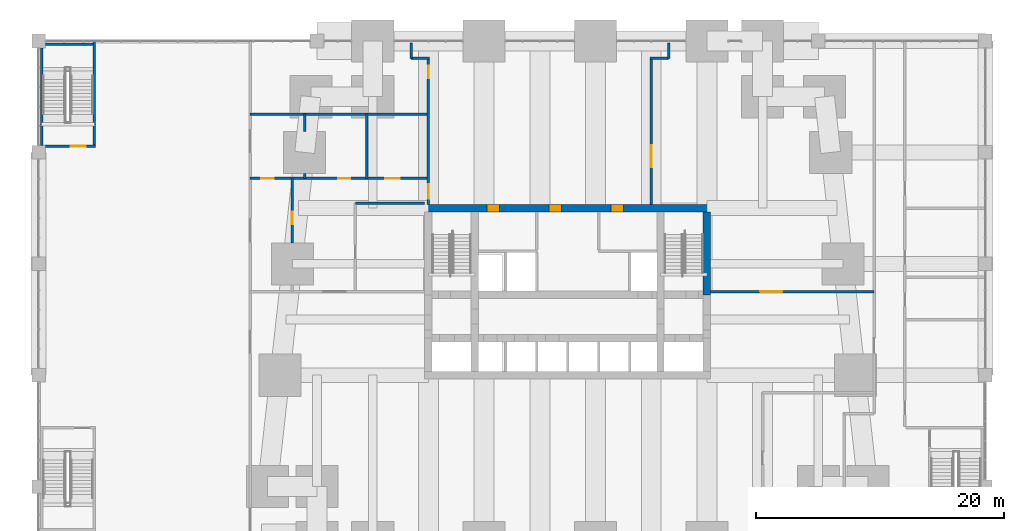
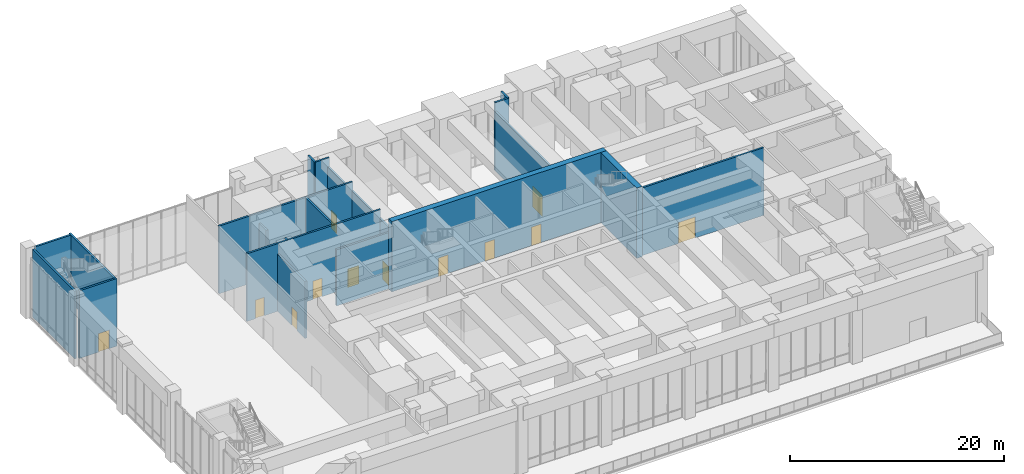
# One storey, part 19 of 26: 20 walls, 12 doors, 12 openings.
"""IFC4 building model written with IfcOpenShell, lengths in metres."""

import ifcopenshell
import ifcopenshell.guid

model = None  # the IFC model being written
_history = None  # IfcOwnerHistory: only IFC2X3 demands one
_inside = {}  # id of a spatial element -> (the spatial element, [elements in it])
_under = {}  # id of a project, library or spatial element -> (it, [spatial elements below it])
_declared = {}  # id of a project -> (the project, [libraries it declares])
_typed = {}  # id of a type object -> (the type object, [elements of that type])
_made_of = {}  # id of a material, layer set ... -> (it, [elements and type objects made of it])


def new_model(schema):
    """Start an empty IFC model of exactly this schema.

    Asked for "IFC4X3", IfcOpenShell would pick the latest addendum, in which some entities
    have other attributes; the version numbers below select the first issue.
    IFC2X3 requires an IfcOwnerHistory on every rooted entity: one is made here for all.
    """
    global model, _history
    if schema == "IFC4X3":
        model = ifcopenshell.file(schema_version=(4, 3, 0, 0))
    else:
        model = ifcopenshell.file(schema=schema)
    _inside.clear()
    _under.clear()
    _declared.clear()
    _typed.clear()
    _made_of.clear()
    _history = None
    if model.schema == "IFC2X3":
        org = make("IfcOrganization", Name="unknown")
        user = make(
            "IfcPersonAndOrganization",
            ThePerson=make("IfcPerson", FamilyName="unknown"),
            TheOrganization=org,
        )
        app = make(
            "IfcApplication",
            ApplicationDeveloper=org,
            Version="unknown",
            ApplicationFullName="unknown",
            ApplicationIdentifier="unknown",
        )
        _history = make(
            "IfcOwnerHistory",
            OwningUser=user,
            OwningApplication=app,
            ChangeAction="ADDED",
            CreationDate=0,
        )
    return model


def make(cls, **values):
    """One entity of the class cls with the attributes given. An attribute that is None is left unset."""
    return model.create_entity(
        cls, **{name: value for name, value in values.items() if value is not None}
    )


def rooted(cls, **values):
    """An entity with a GlobalId (a new one), such as an element, a storey or a relation."""
    return make(cls, GlobalId=ifcopenshell.guid.new(), OwnerHistory=_history, **values)


def si_unit(unit_type, name, prefix=None):
    """IfcSIUnit, for example si_unit("LENGTHUNIT", "METRE", prefix="MILLI")."""
    return make("IfcSIUnit", UnitType=unit_type, Prefix=prefix, Name=name)


def assignment(units):
    """IfcUnitAssignment: the units of a project."""
    return None if units is None else make("IfcUnitAssignment", Units=units)


def point(xyz):
    """IfcCartesianPoint."""
    return None if xyz is None else make("IfcCartesianPoint", Coordinates=xyz)


def direction(xyz):
    """IfcDirection."""
    return None if xyz is None else make("IfcDirection", DirectionRatios=xyz)


def frame(location, z_axis=None, x_axis=None):
    """IfcAxis2Placement3D, a coordinate frame: its origin and axes. An axis left out is left unset."""
    return make(
        "IfcAxis2Placement3D",
        Location=point(location),
        Axis=direction(z_axis),
        RefDirection=direction(x_axis),
    )


def frame_2d(location, x_axis=None):
    """IfcAxis2Placement2D, a coordinate frame in the plane: its origin and x axis."""
    return make(
        "IfcAxis2Placement2D", Location=point(location), RefDirection=direction(x_axis)
    )


def origin():
    """The frame at (0, 0, 0) with its axes left unset."""
    return frame((0.0, 0.0, 0.0))


def place(relative_to, where):
    """IfcLocalPlacement: puts the frame where relative to a parent placement (None: the world)."""
    return make(
        "IfcLocalPlacement", PlacementRelTo=relative_to, RelativePlacement=where
    )


def context(
    kind, dimensions, precision=None, world=None, true_north=None, identifier=None
):
    """IfcGeometricRepresentationContext, for example the 3D "Model" context."""
    return make(
        "IfcGeometricRepresentationContext",
        ContextIdentifier=identifier,
        ContextType=kind,
        CoordinateSpaceDimension=dimensions,
        Precision=precision,
        WorldCoordinateSystem=world,
        TrueNorth=true_north,
    )


def subcontext(parent, identifier, kind, view, scale=None):
    """IfcGeometricRepresentationSubContext, for example "Body" below "Model"."""
    return make(
        "IfcGeometricRepresentationSubContext",
        ContextIdentifier=identifier,
        ContextType=kind,
        ParentContext=parent,
        TargetScale=scale,
        TargetView=view,
    )


def project(units=None, contexts=None):
    """IfcProject with its units and contexts."""
    return rooted(
        "IfcProject",
        Name="project",
        RepresentationContexts=contexts,
        UnitsInContext=assignment(units),
    )


def spatial(cls, under=None, at=None, **own):
    """A site, building, storey or space (cls), placed at a placement, below another one or the project."""
    s = rooted(cls, ObjectPlacement=at, **own)
    if under is not None:
        _under.setdefault(under.id(), (under, []))[1].append(s)
    return s


def profile(cls, at=None, kind="AREA", **sizes):
    """A parametric profile (cls). Its sizes go by their IFC names, for example OverallWidth=200.0."""
    return make(cls, ProfileType=kind, Position=at, **sizes)


def rectangle(**sizes):
    """IfcRectangleProfileDef."""
    return profile("IfcRectangleProfileDef", **sizes)


def extrude(swept, where, along, depth):
    """IfcExtrudedAreaSolid: the profile swept, set in the frame where, extruded along a direction by depth."""
    return make(
        "IfcExtrudedAreaSolid",
        SweptArea=swept,
        Position=where,
        ExtrudedDirection=direction(along),
        Depth=depth,
    )


def shape(context_of_items, identifier, shape_type, items):
    """IfcShapeRepresentation: the items that make up one representation, for example the "Body"."""
    return make(
        "IfcShapeRepresentation",
        ContextOfItems=context_of_items,
        RepresentationIdentifier=identifier,
        RepresentationType=shape_type,
        Items=items,
    )


def material(Name=None, Category=None):
    """IfcMaterial."""
    return make("IfcMaterial", Name=Name, Category=Category)


def layer(
    of_material, thickness, ventilated=None, Name=None, Category=None, Priority=None
):
    """IfcMaterialLayer: one layer of a wall or slab, of a material (None: an air gap)."""
    return make(
        "IfcMaterialLayer",
        Material=of_material,
        LayerThickness=thickness,
        IsVentilated=ventilated,
        Name=Name,
        Category=Category,
        Priority=Priority,
    )


def layer_set(layers, Name=None):
    """IfcMaterialLayerSet."""
    return make("IfcMaterialLayerSet", MaterialLayers=layers, LayerSetName=Name)


def made_of(thing, what):
    """Note that an element or type object is made of a material, layer set ...; save() writes the relation."""
    if what is not None:
        _made_of.setdefault(what.id(), (what, []))[1].append(thing)
    return thing


def type_object(cls, material=None, **own):
    """A type object (cls), such as IfcWallType, which elements share."""
    return made_of(rooted(cls, **own), material)


def element(
    cls,
    number,
    at=None,
    inside=None,
    cuts=None,
    type_object=None,
    material=None,
    context=None,
    identifier="Body",
    shape_type=None,
    held_by="IfcProductDefinitionShape",
    body=None,
    shapes=None,
    **own,
):
    """One element of the class cls, such as IfcWall. Its Tag is "e" and its number.

    at: its placement. inside: the storey or other place that contains it. cuts: it is an
    opening in that element (IfcRelVoidsElement). A single representation is given by context,
    identifier, shape_type and body (its items); several are given by shapes. held_by: the class
    of the entity that holds the representations. save() writes the other relations.
    """
    e = rooted(cls, Tag="e%d" % number, ObjectPlacement=at, **own)
    if body is not None:
        shapes = [shape(context, identifier, shape_type, body)]
    if shapes is not None:
        e.Representation = make(held_by, Representations=shapes)
    if inside is not None:
        _inside.setdefault(inside.id(), (inside, []))[1].append(e)
    if cuts is not None:
        rooted(
            "IfcRelVoidsElement", RelatingBuildingElement=cuts, RelatedOpeningElement=e
        )
    if type_object is not None:
        _typed.setdefault(type_object.id(), (type_object, []))[1].append(e)
    return made_of(e, material)


def fill(opening, filler):
    """IfcRelFillsElement: the door or window that sits in an opening."""
    return rooted(
        "IfcRelFillsElement",
        RelatingOpeningElement=opening,
        RelatedBuildingElement=filler,
    )


def aggregate(whole, parts):
    """IfcRelAggregates: a whole, such as a stair, and the parts it consists of."""
    return rooted("IfcRelAggregates", RelatingObject=whole, RelatedObjects=parts)


def save(model, path):
    """Write the relations noted so far, then the file.

    IfcRelAggregates (storeys below a building ...), IfcRelContainedInSpatialStructure (elements
    in a storey), IfcRelDefinesByType, IfcRelAssociatesMaterial and IfcRelDeclares: one each for
    every whole, place, type object, material and project.
    """
    for whole, parts in _under.values():
        aggregate(whole, parts)
    for where, things in _inside.values():
        rooted(
            "IfcRelContainedInSpatialStructure",
            RelatedElements=things,
            RelatingStructure=where,
        )
    for kind, things in _typed.values():
        rooted("IfcRelDefinesByType", RelatedObjects=things, RelatingType=kind)
    for what, things in _made_of.values():
        rooted("IfcRelAssociatesMaterial", RelatedObjects=things, RelatingMaterial=what)
    for by, libraries in _declared.values():
        rooted("IfcRelDeclares", RelatingContext=by, RelatedDefinitions=libraries)
    model.write(path)


model = new_model("IFC4")

# Units and contexts
model_context = context("Model", 3, precision=1e-05, world=origin(), true_north=direction((0.0, 1.0)))
body_context = subcontext(model_context, "Body", "Model", "MODEL_VIEW")
ifc_project = project(units=[si_unit("LENGTHUNIT", "METRE"), si_unit("AREAUNIT", "SQUARE_METRE"), si_unit("VOLUMEUNIT", "CUBIC_METRE"), si_unit("PLANEANGLEUNIT", "RADIAN"), si_unit("MASSUNIT", "GRAM", prefix="KILO")], contexts=[model_context])

# Site, building, storey
site_placement = place(None, origin())
site = spatial("IfcSite", under=ifc_project, at=site_placement, CompositionType="ELEMENT")
building_placement = place(site_placement, origin())
building = spatial("IfcBuilding", under=site, at=building_placement, Name="Kilele Tower Hotel", CompositionType="ELEMENT")
storey_placement = place(building_placement, frame((0.0, 0.0, 11.0)))
storey = spatial("IfcBuildingStorey", under=building, at=storey_placement, Name="L02", CompositionType="ELEMENT", Elevation=11.0)

# Wall, openings, doors
ifc_material_1 = material(Name="Concrete C60/75", Category="concrete")
ifc_layer_1 = layer(ifc_material_1, 0.60009765625)
ifc_layer_set_1 = layer_set([ifc_layer_1], Name="Concrete C60/75")
wall_type_1 = type_object("IfcWallType", Name="Core wall 600 C60/75", PredefinedType="SHEAR", material=ifc_layer_set_1)
wall_1_placement = place(storey_placement, frame((36.300048828125, 27.0, 0.0), z_axis=(0.0, 0.0, 1.0), x_axis=(-1.0, 0.0, 0.0)))
wall_1 = element("IfcWall", 1, at=wall_1_placement, inside=storey, type_object=wall_type_1, Name="Core wall N L02", PredefinedType="SHEAR", context=body_context, shape_type="SweptSolid", body=[
    extrude(rectangle(XDim=23.10009765625, YDim=0.60009765625, at=frame_2d((11.550048828125, 0.0))), origin(), (0.0, 0.0, 1.0), 8.0),
])
opening_1_placement = place(wall_1_placement, frame((17.050048828125, 0.0, 0.0)))
opening_1 = element("IfcOpeningElement", 2, at=opening_1_placement, cuts=wall_1, Name="Opening D6", PredefinedType="OPENING", context=body_context, shape_type="SweptSolid", body=[
    extrude(rectangle(XDim=1.0, YDim=2.10009765625, at=frame_2d((0.5, 1.050048828125))), frame((0.0, 0.31005859375, 0.0), z_axis=(0.0, -1.0, 0.0), x_axis=(1.0, 0.0, 0.0)), (0.0, 0.0, 1.0), 0.6201171875),
])
opening_2_placement = place(wall_1_placement, frame((12.050048828125, 0.0, 0.0)))
opening_2 = element("IfcOpeningElement", 3, at=opening_2_placement, cuts=wall_1, Name="Opening D6", PredefinedType="OPENING", context=body_context, shape_type="SweptSolid", body=[
    extrude(rectangle(XDim=1.0, YDim=2.10009765625, at=frame_2d((0.5, 1.050048828125))), frame((0.0, 0.31005859375, 0.0), z_axis=(0.0, -1.0, 0.0), x_axis=(1.0, 0.0, 0.0)), (0.0, 0.0, 1.0), 0.6201171875),
])
opening_3_placement = place(wall_1_placement, frame((7.050048828125, 0.0, 0.0)))
opening_3 = element("IfcOpeningElement", 4, at=opening_3_placement, cuts=wall_1, Name="Opening D6", PredefinedType="OPENING", context=body_context, shape_type="SweptSolid", body=[
    extrude(rectangle(XDim=1.0, YDim=2.10009765625, at=frame_2d((0.5, 1.050048828125))), frame((0.0, 0.31005859375, 0.0), z_axis=(0.0, -1.0, 0.0), x_axis=(1.0, 0.0, 0.0)), (0.0, 0.0, 1.0), 0.6201171875),
])
ifc_material_2 = material(Name="Timber door leaf in hardwood frame", Category="wood")
door_type_1 = type_object("IfcDoorType", Name="Riser door 1000", OperationType="SINGLE_SWING_LEFT", PredefinedType="DOOR", material=ifc_material_2)
door_1_placement = place(opening_1_placement, origin())
door_1 = element("IfcDoor", 5, at=door_1_placement, inside=storey, type_object=door_type_1, Name="Service riser door L02", OperationType="SINGLE_SWING_RIGHT", OverallHeight=2.10009765625, OverallWidth=1.0, PredefinedType="DOOR", context=body_context, shape_type="SweptSolid", body=[
    extrude(rectangle(XDim=1.0, YDim=2.10009765625, at=frame_2d((0.5, 1.050048828125))), frame((0.0, 0.2998046875, 0.0), z_axis=(0.0, -1.0, 0.0), x_axis=(1.0, 0.0, 0.0)), (0.0, 0.0, 1.0), 0.599609375),
])
fill(opening_1, door_1)
door_2_placement = place(opening_2_placement, origin())
door_2 = element("IfcDoor", 6, at=door_2_placement, inside=storey, type_object=door_type_1, Name="Housekeeping linen room door L02", OperationType="SINGLE_SWING_RIGHT", OverallHeight=2.10009765625, OverallWidth=1.0, PredefinedType="DOOR", context=body_context, shape_type="SweptSolid", body=[
    extrude(rectangle(XDim=1.0, YDim=2.10009765625, at=frame_2d((0.5, 1.050048828125))), frame((0.0, 0.2998046875, 0.0), z_axis=(0.0, -1.0, 0.0), x_axis=(1.0, 0.0, 0.0)), (0.0, 0.0, 1.0), 0.599609375),
])
fill(opening_2, door_2)
door_3_placement = place(opening_3_placement, origin())
door_3 = element("IfcDoor", 7, at=door_3_placement, inside=storey, type_object=door_type_1, Name="Electrical riser door L02", OperationType="SINGLE_SWING_RIGHT", OverallHeight=2.10009765625, OverallWidth=1.0, PredefinedType="DOOR", context=body_context, shape_type="SweptSolid", body=[
    extrude(rectangle(XDim=1.0, YDim=2.10009765625, at=frame_2d((0.5, 1.050048828125))), frame((0.0, 0.2998046875, 0.0), z_axis=(0.0, -1.0, 0.0), x_axis=(1.0, 0.0, 0.0)), (0.0, 0.0, 1.0), 0.599609375),
])
fill(opening_3, door_3)

# Wall
wall_2_placement = place(storey_placement, frame((36.0, 20.0, 0.0), z_axis=(0.0, 0.0, 1.0), x_axis=(0.0, 1.0, 0.0)))
element("IfcWall", 8, at=wall_2_placement, inside=storey, type_object=wall_type_1, Name="Core wall E3 L02", PredefinedType="SHEAR", context=body_context, shape_type="SweptSolid", body=[
    extrude(rectangle(XDim=6.699951171875, YDim=0.60009765625, at=frame_2d((3.35009765625, 0.0))), origin(), (0.0, 0.0, 1.0), 8.0),
])

# Wall, opening, door
ifc_material_3 = material(Name="Blockwork, plastered both sides", Category="masonry")
ifc_layer_2 = layer(ifc_material_3, 0.199951171875)
ifc_layer_set_2 = layer_set([ifc_layer_2], Name="Blockwork, plastered both sides")
wall_type_2 = type_object("IfcWallType", Name="Partition wall 200", PredefinedType="PARTITIONING", material=ifc_layer_set_2)
wall_3_placement = place(storey_placement, frame((36.300048828125, 20.25, 0.0), z_axis=(0.0, 0.0, 1.0), x_axis=(1.0, 0.0, 0.0)))
wall_3 = element("IfcWall", 9, at=wall_3_placement, inside=storey, type_object=wall_type_2, Name="Partition wall 200 L02", PredefinedType="PARTITIONING", context=body_context, shape_type="SweptSolid", body=[
    extrude(rectangle(XDim=13.199951171875, YDim=0.199951171875, at=frame_2d((6.60009765625, 0.0))), origin(), (0.0, 0.0, 1.0), 7.699951171875),
])
opening_4_placement = place(wall_3_placement, frame((4.0, 0.0, 0.0)))
opening_4 = element("IfcOpeningElement", 10, at=opening_4_placement, cuts=wall_3, Name="Opening D9", PredefinedType="OPENING", context=body_context, shape_type="SweptSolid", body=[
    extrude(rectangle(XDim=1.800048828125, YDim=2.39990234375, at=frame_2d((0.89990234375, 1.199951171875))), frame((0.0, 0.10986328125, 0.0), z_axis=(0.0, -1.0, 0.0), x_axis=(1.0, 0.0, 0.0)), (0.0, 0.0, 1.0), 0.219970703125),
])
ifc_material_4 = material(Name="Timber door leaf in hardwood frame", Category="wood")
door_type_2 = type_object("IfcDoorType", Name="Double door 1800", OperationType="DOUBLE_DOOR_SINGLE_SWING", PredefinedType="DOOR", material=ifc_material_4)
door_4_placement = place(opening_4_placement, origin())
door_4 = element("IfcDoor", 11, at=door_4_placement, inside=storey, type_object=door_type_2, Name="Door Banquet servery", OperationType="DOUBLE_DOOR_SINGLE_SWING", OverallHeight=2.39990234375, OverallWidth=1.800048828125, PredefinedType="DOOR", context=body_context, shape_type="SweptSolid", body=[
    extrude(rectangle(XDim=1.800048828125, YDim=2.39990234375, at=frame_2d((0.89990234375, 1.199951171875))), frame((0.0, 0.02490234375, 0.0), z_axis=(0.0, -1.0, 0.0), x_axis=(1.0, 0.0, 0.0)), (0.0, 0.0, 1.0), 0.050048828125),
])
fill(opening_4, door_4)

wall_4_placement = place(storey_placement, frame((2.5, 24.199951171875, 0.0), z_axis=(0.0, 0.0, 1.0), x_axis=(0.0, 1.0, 0.0)))
wall_4 = element("IfcWall", 12, at=wall_4_placement, inside=storey, type_object=wall_type_2, Name="Partition wall 200 L02", PredefinedType="PARTITIONING", context=body_context, shape_type="SweptSolid", body=[
    extrude(rectangle(XDim=5.199951171875, YDim=0.199951171875, at=frame_2d((2.60009765625, 0.0))), origin(), (0.0, 0.0, 1.0), 6.5),
])
opening_5_placement = place(wall_4_placement, frame((1.5, 0.0, 0.0)))
opening_5 = element("IfcOpeningElement", 13, at=opening_5_placement, cuts=wall_4, Name="Opening D8", PredefinedType="OPENING", context=body_context, shape_type="SweptSolid", body=[
    extrude(rectangle(XDim=1.0, YDim=2.10009765625, at=frame_2d((0.5, 1.050048828125))), frame((0.0, 0.10986328125, 0.0), z_axis=(0.0, -1.0, 0.0), x_axis=(1.0, 0.0, 0.0)), (0.0, 0.0, 1.0), 0.219970703125),
])
ifc_material_5 = material(Name="Timber door leaf in hardwood frame", Category="wood")
door_type_3 = type_object("IfcDoorType", Name="Door 1000", OperationType="SINGLE_SWING_LEFT", PredefinedType="DOOR", material=ifc_material_5)
door_5_placement = place(opening_5_placement, origin())
door_5 = element("IfcDoor", 14, at=door_5_placement, inside=storey, type_object=door_type_3, Name="Door dry store", OperationType="SINGLE_SWING_LEFT", OverallHeight=2.10009765625, OverallWidth=1.0, PredefinedType="DOOR", context=body_context, shape_type="SweptSolid", body=[
    extrude(rectangle(XDim=1.0, YDim=2.10009765625, at=frame_2d((0.5, 1.050048828125))), frame((0.0, 0.02490234375, 0.0), z_axis=(0.0, -1.0, 0.0), x_axis=(1.0, 0.0, 0.0)), (0.0, 0.0, 1.0), 0.050048828125),
])
fill(opening_5, door_5)

# Wall
wall_5_placement = place(storey_placement, frame((7.60009765625, 27.39990234375, 0.0), z_axis=(0.0, 0.0, 1.0), x_axis=(1.0, 0.0, 0.0)))
element("IfcWall", 15, at=wall_5_placement, inside=storey, type_object=wall_type_2, Name="Partition wall 200 L02", PredefinedType="PARTITIONING", context=body_context, shape_type="SweptSolid", body=[
    extrude(rectangle(XDim=5.599853515625, YDim=0.199951171875, at=frame_2d((2.7998046875, 0.0))), origin(), (0.0, 0.0, 1.0), 6.39990234375),
])

# Wall, openings, doors
wall_6_placement = place(storey_placement, frame((-0.89990234375, 29.39990234375, 0.0), z_axis=(0.0, 0.0, 1.0), x_axis=(1.0, 0.0, 0.0)))
wall_6 = element("IfcWall", 16, at=wall_6_placement, inside=storey, type_object=wall_type_2, Name="Partition wall 200 L02", PredefinedType="PARTITIONING", context=body_context, shape_type="SweptSolid", body=[
    extrude(rectangle(XDim=14.39990234375, YDim=0.199951171875, at=frame_2d((7.199951171875, 0.0))), origin(), (0.0, 0.0, 1.0), 7.699951171875),
])
opening_6_placement = place(wall_6_placement, frame((7.10009765625, 0.0, 0.0)))
opening_6 = element("IfcOpeningElement", 17, at=opening_6_placement, cuts=wall_6, Name="Opening D8", PredefinedType="OPENING", context=body_context, shape_type="SweptSolid", body=[
    extrude(rectangle(XDim=1.0, YDim=2.10009765625, at=frame_2d((0.5, 1.050048828125))), frame((0.0, 0.10986328125, 0.0), z_axis=(0.0, -1.0, 0.0), x_axis=(1.0, 0.0, 0.0)), (0.0, 0.0, 1.0), 0.219970703125),
])
opening_7_placement = place(wall_6_placement, frame((0.89990234375, 0.0, 0.0)))
opening_7 = element("IfcOpeningElement", 18, at=opening_7_placement, cuts=wall_6, Name="Opening D8", PredefinedType="OPENING", context=body_context, shape_type="SweptSolid", body=[
    extrude(rectangle(XDim=1.0, YDim=2.10009765625, at=frame_2d((0.5, 1.050048828125))), frame((0.0, 0.10986328125, 0.0), z_axis=(0.0, -1.0, 0.0), x_axis=(1.0, 0.0, 0.0)), (0.0, 0.0, 1.0), 0.219970703125),
])
opening_8_placement = place(wall_6_placement, frame((10.89990234375, 0.0, 0.0)))
opening_8 = element("IfcOpeningElement", 19, at=opening_8_placement, cuts=wall_6, Name="Opening D8A", PredefinedType="OPENING", context=body_context, shape_type="SweptSolid", body=[
    extrude(rectangle(XDim=1.199951171875, YDim=2.10009765625, at=frame_2d((0.60009765625, 1.050048828125))), frame((0.0, 0.10986328125, 0.0), z_axis=(0.0, -1.0, 0.0), x_axis=(1.0, 0.0, 0.0)), (0.0, 0.0, 1.0), 0.219970703125),
])
door_6_placement = place(opening_6_placement, origin())
door_6 = element("IfcDoor", 20, at=door_6_placement, inside=storey, type_object=door_type_3, Name="Door chef's office", OperationType="SINGLE_SWING_RIGHT", OverallHeight=2.10009765625, OverallWidth=1.0, PredefinedType="DOOR", context=body_context, shape_type="SweptSolid", body=[
    extrude(rectangle(XDim=1.0, YDim=2.10009765625, at=frame_2d((0.5, 1.050048828125))), frame((0.0, 0.02490234375, 0.0), z_axis=(0.0, -1.0, 0.0), x_axis=(1.0, 0.0, 0.0)), (0.0, 0.0, 1.0), 0.050048828125),
])
fill(opening_6, door_6)
door_7_placement = place(opening_7_placement, origin())
door_7 = element("IfcDoor", 21, at=door_7_placement, inside=storey, type_object=door_type_3, Name="Door kitchen linen store", OperationType="SINGLE_SWING_LEFT", OverallHeight=2.10009765625, OverallWidth=1.0, PredefinedType="DOOR", context=body_context, shape_type="SweptSolid", body=[
    extrude(rectangle(XDim=1.0, YDim=2.10009765625, at=frame_2d((0.5, 1.050048828125))), frame((0.0, 0.02490234375, 0.0), z_axis=(0.0, -1.0, 0.0), x_axis=(1.0, 0.0, 0.0)), (0.0, 0.0, 1.0), 0.050048828125),
])
fill(opening_7, door_7)
ifc_material_6 = material(Name="Timber door leaf in hardwood frame", Category="wood")
door_type_4 = type_object("IfcDoorType", Name="Door 1200", OperationType="SINGLE_SWING_LEFT", PredefinedType="DOOR", material=ifc_material_6)
door_8_placement = place(opening_8_placement, origin())
door_8 = element("IfcDoor", 22, at=door_8_placement, inside=storey, type_object=door_type_4, Name="Door cold store", OperationType="SINGLE_SWING_LEFT", OverallHeight=2.10009765625, OverallWidth=1.199951171875, PredefinedType="DOOR", context=body_context, shape_type="SweptSolid", body=[
    extrude(rectangle(XDim=1.199951171875, YDim=2.10009765625, at=frame_2d((0.60009765625, 1.050048828125))), frame((0.0, 0.02490234375, 0.0), z_axis=(0.0, -1.0, 0.0), x_axis=(1.0, 0.0, 0.0)), (0.0, 0.0, 1.0), 0.050048828125),
])
fill(opening_8, door_8)

# Walls
wall_7_placement = place(storey_placement, frame((8.5, 29.39990234375, 0.0), z_axis=(0.0, 0.0, 1.0), x_axis=(0.0, 1.0, 0.0)))
element("IfcWall", 23, at=wall_7_placement, inside=storey, type_object=wall_type_2, Name="Partition wall 200 L02", PredefinedType="PARTITIONING", context=body_context, shape_type="SweptSolid", body=[
    extrude(rectangle(XDim=5.2001953125, YDim=0.199951171875, at=frame_2d((2.60009765625, 0.0))), origin(), (0.0, 0.0, 1.0), 7.699951171875),
])
wall_8_placement = place(storey_placement, frame((3.5, 29.39990234375, 0.0), z_axis=(0.0, 0.0, 1.0), x_axis=(0.0, 1.0, 0.0)))
element("IfcWall", 24, at=wall_8_placement, inside=storey, type_object=wall_type_2, Name="Partition wall 200 L02", PredefinedType="PARTITIONING", context=body_context, shape_type="SweptSolid", body=[
    extrude(rectangle(XDim=0.400146484375, YDim=0.199951171875, at=frame_2d((0.2001953125, 0.0))), origin(), (0.0, 0.0, 1.0), 7.699951171875),
])
wall_9_placement = place(storey_placement, frame((3.5, 33.199951171875, 0.0), z_axis=(0.0, 0.0, 1.0), x_axis=(0.0, 1.0, 0.0)))
element("IfcWall", 25, at=wall_9_placement, inside=storey, type_object=wall_type_2, Name="Partition wall 200 L02", PredefinedType="PARTITIONING", context=body_context, shape_type="SweptSolid", body=[
    extrude(rectangle(XDim=1.400146484375, YDim=0.199951171875, at=frame_2d((0.7001953125, 0.0))), origin(), (0.0, 0.0, 1.0), 6.5),
])
wall_10_placement = place(storey_placement, frame((-0.89990234375, 34.60009765625, 0.0), z_axis=(0.0, 0.0, 1.0), x_axis=(1.0, 0.0, 0.0)))
element("IfcWall", 26, at=wall_10_placement, inside=storey, type_object=wall_type_2, Name="Partition wall 200 L02", PredefinedType="PARTITIONING", context=body_context, shape_type="SweptSolid", body=[
    extrude(rectangle(XDim=14.39990234375, YDim=0.199951171875, at=frame_2d((7.199951171875, 0.0))), origin(), (0.0, 0.0, 1.0), 7.699951171875),
])

# Wall, openings, doors
wall_11_placement = place(storey_placement, frame((13.5, 27.300048828125, 0.0), z_axis=(0.0, 0.0, 1.0), x_axis=(0.0, 1.0, 0.0)))
wall_11 = element("IfcWall", 27, at=wall_11_placement, inside=storey, type_object=wall_type_2, Name="Partition wall 200 L02", PredefinedType="PARTITIONING", context=body_context, shape_type="SweptSolid", body=[
    extrude(rectangle(XDim=11.800048828125, YDim=0.199951171875, at=frame_2d((5.89990234375, 0.0))), origin(), (0.0, 0.0, 1.0), 6.699951171875),
])
opening_9_placement = place(wall_11_placement, frame((1.64990234375, 0.0, 0.0), z_axis=(0.0, 0.0, 1.0), x_axis=(-1.0, 0.0, 0.0)))
opening_9 = element("IfcOpeningElement", 28, at=opening_9_placement, cuts=wall_11, Name="Opening D8A", PredefinedType="OPENING", context=body_context, shape_type="SweptSolid", body=[
    extrude(rectangle(XDim=1.199951171875, YDim=2.10009765625, at=frame_2d((0.60009765625, 1.050048828125))), frame((0.0, 0.10986328125, 0.0), z_axis=(0.0, -1.0, 0.0), x_axis=(1.0, 0.0, 0.0)), (0.0, 0.0, 1.0), 0.219970703125),
])
opening_10_placement = place(wall_11_placement, frame((10.199951171875, 0.0, 0.0)))
opening_10 = element("IfcOpeningElement", 29, at=opening_10_placement, cuts=wall_11, Name="Opening D8", PredefinedType="OPENING", context=body_context, shape_type="SweptSolid", body=[
    extrude(rectangle(XDim=1.0, YDim=2.10009765625, at=frame_2d((0.5, 1.050048828125))), frame((0.0, 0.10986328125, 0.0), z_axis=(0.0, -1.0, 0.0), x_axis=(1.0, 0.0, 0.0)), (0.0, 0.0, 1.0), 0.219970703125),
])
door_9_placement = place(opening_10_placement, origin())
door_9 = element("IfcDoor", 30, at=door_9_placement, inside=storey, type_object=door_type_3, Name="Door kitchen staff lockers and WC", OperationType="SINGLE_SWING_RIGHT", OverallHeight=2.10009765625, OverallWidth=1.0, PredefinedType="DOOR", context=body_context, shape_type="SweptSolid", body=[
    extrude(rectangle(XDim=1.0, YDim=2.10009765625, at=frame_2d((0.5, 1.050048828125))), frame((0.0, 0.02490234375, 0.0), z_axis=(0.0, -1.0, 0.0), x_axis=(1.0, 0.0, 0.0)), (0.0, 0.0, 1.0), 0.050048828125),
])
fill(opening_10, door_9)
door_10_placement = place(opening_9_placement, origin())
door_10 = element("IfcDoor", 31, at=door_10_placement, inside=storey, type_object=door_type_4, Name="Door banquet kitchen", OperationType="SINGLE_SWING_RIGHT", OverallHeight=2.10009765625, OverallWidth=1.199951171875, PredefinedType="DOOR", context=body_context, shape_type="SweptSolid", body=[
    extrude(rectangle(XDim=1.199951171875, YDim=2.10009765625, at=frame_2d((0.60009765625, 1.050048828125))), frame((0.0, 0.02490234375, 0.0), z_axis=(0.0, -1.0, 0.0), x_axis=(1.0, 0.0, 0.0)), (0.0, 0.0, 1.0), 0.050048828125),
])
fill(opening_9, door_10)

# Walls
wall_12_placement = place(storey_placement, frame((12.10009765625, 39.10009765625, 0.0), z_axis=(0.0, 0.0, 1.0), x_axis=(1.0, 0.0, 0.0)))
element("IfcWall", 32, at=wall_12_placement, inside=storey, type_object=wall_type_2, Name="Partition wall 200 L02", PredefinedType="PARTITIONING", context=body_context, shape_type="SweptSolid", body=[
    extrude(rectangle(XDim=1.5, YDim=0.199951171875, at=frame_2d((0.75, 0.0))), origin(), (0.0, 0.0, 1.0), 7.699951171875),
])
wall_13_placement = place(storey_placement, frame((12.10009765625, 39.10009765625, 0.0), z_axis=(0.0, 0.0, 1.0), x_axis=(0.0, 1.0, 0.0)))
element("IfcWall", 33, at=wall_13_placement, inside=storey, type_object=wall_type_2, Name="Partition wall 200 L02", PredefinedType="PARTITIONING", context=body_context, shape_type="SweptSolid", body=[
    extrude(rectangle(XDim=1.25, YDim=0.199951171875, at=frame_2d((0.625, 0.0))), origin(), (0.0, 0.0, 1.0), 7.699951171875),
])

# Wall, opening, door
wall_14_placement = place(storey_placement, frame((31.5, 27.300048828125, 0.0), z_axis=(0.0, 0.0, 1.0), x_axis=(0.0, 1.0, 0.0)))
wall_14 = element("IfcWall", 34, at=wall_14_placement, inside=storey, type_object=wall_type_2, Name="Partition wall 200 L02", PredefinedType="PARTITIONING", context=body_context, shape_type="SweptSolid", body=[
    extrude(rectangle(XDim=11.800048828125, YDim=0.199951171875, at=frame_2d((5.89990234375, 0.0))), origin(), (0.0, 0.0, 1.0), 6.699951171875),
])
opening_11_placement = place(wall_14_placement, frame((3.0, 0.0, 0.0)))
opening_11 = element("IfcOpeningElement", 35, at=opening_11_placement, cuts=wall_14, Name="Opening D9", PredefinedType="OPENING", context=body_context, shape_type="SweptSolid", body=[
    extrude(rectangle(XDim=1.800048828125, YDim=2.39990234375, at=frame_2d((0.89990234375, 1.199951171875))), frame((0.0, 0.10986328125, 0.0), z_axis=(0.0, -1.0, 0.0), x_axis=(1.0, 0.0, 0.0)), (0.0, 0.0, 1.0), 0.219970703125),
])
door_11_placement = place(opening_11_placement, origin())
door_11 = element("IfcDoor", 36, at=door_11_placement, inside=storey, type_object=door_type_2, Name="Door banquet servery", OperationType="DOUBLE_DOOR_SINGLE_SWING", OverallHeight=2.39990234375, OverallWidth=1.800048828125, PredefinedType="DOOR", context=body_context, shape_type="SweptSolid", body=[
    extrude(rectangle(XDim=1.800048828125, YDim=2.39990234375, at=frame_2d((0.89990234375, 1.199951171875))), frame((0.0, 0.02490234375, 0.0), z_axis=(0.0, -1.0, 0.0), x_axis=(1.0, 0.0, 0.0)), (0.0, 0.0, 1.0), 0.050048828125),
])
fill(opening_11, door_11)

# Walls
wall_15_placement = place(storey_placement, frame((31.39990234375, 39.10009765625, 0.0), z_axis=(0.0, 0.0, 1.0), x_axis=(1.0, 0.0, 0.0)))
element("IfcWall", 37, at=wall_15_placement, inside=storey, type_object=wall_type_2, Name="Partition wall 200 L02", PredefinedType="PARTITIONING", context=body_context, shape_type="SweptSolid", body=[
    extrude(rectangle(XDim=1.5, YDim=0.199951171875, at=frame_2d((0.75, 0.0))), origin(), (0.0, 0.0, 1.0), 7.699951171875),
])
wall_16_placement = place(storey_placement, frame((32.89990234375, 39.10009765625, 0.0), z_axis=(0.0, 0.0, 1.0), x_axis=(0.0, 1.0, 0.0)))
element("IfcWall", 38, at=wall_16_placement, inside=storey, type_object=wall_type_2, Name="Partition wall 200 L02", PredefinedType="PARTITIONING", context=body_context, shape_type="SweptSolid", body=[
    extrude(rectangle(XDim=1.25, YDim=0.199951171875, at=frame_2d((0.625, 0.0))), origin(), (0.0, 0.0, 1.0), 7.699951171875),
])

# Wall, opening, door
ifc_material_7 = material(Name="Concrete C40/50", Category="concrete")
ifc_layer_3 = layer(ifc_material_7, 0.199951171875)
ifc_layer_set_3 = layer_set([ifc_layer_3], Name="Concrete C40/50")
wall_type_3 = type_object("IfcWallType", Name="Stair wall RC 200 C40/50", PredefinedType="SOLIDWALL", material=ifc_layer_set_3)
wall_17_placement = place(storey_placement, frame((-17.449951171875, 32.0, 0.0), z_axis=(0.0, 0.0, 1.0), x_axis=(1.0, 0.0, 0.0)))
wall_17 = element("IfcWall", 39, at=wall_17_placement, inside=storey, type_object=wall_type_3, Name="Stair wall RC 200 C40/50 L02", PredefinedType="SOLIDWALL", context=body_context, shape_type="SweptSolid", body=[
    extrude(rectangle(XDim=4.050048828125, YDim=0.199951171875, at=frame_2d((2.02490234375, 0.0))), origin(), (0.0, 0.0, 1.0), 7.699951171875),
])
opening_12_placement = place(wall_17_placement, frame((2.050048828125, 0.0, 0.0)))
opening_12 = element("IfcOpeningElement", 40, at=opening_12_placement, cuts=wall_17, Name="Opening D5A", PredefinedType="OPENING", context=body_context, shape_type="SweptSolid", body=[
    extrude(rectangle(XDim=1.199951171875, YDim=2.10009765625, at=frame_2d((0.60009765625, 1.050048828125))), frame((0.0, 0.10986328125, 0.0), z_axis=(0.0, -1.0, 0.0), x_axis=(1.0, 0.0, 0.0)), (0.0, 0.0, 1.0), 0.219970703125),
])
ifc_material_8 = material(Name="Timber door leaf in hardwood frame", Category="wood")
door_type_5 = type_object("IfcDoorType", Name="Stair door 1200", OperationType="SINGLE_SWING_LEFT", PredefinedType="DOOR", material=ifc_material_8)
door_12_placement = place(opening_12_placement, origin())
door_12 = element("IfcDoor", 41, at=door_12_placement, inside=storey, type_object=door_type_5, Name="Stair 3 door", OperationType="SINGLE_SWING_RIGHT", OverallHeight=2.10009765625, OverallWidth=1.199951171875, PredefinedType="DOOR", context=body_context, shape_type="SweptSolid", body=[
    extrude(rectangle(XDim=1.199951171875, YDim=2.10009765625, at=frame_2d((0.60009765625, 1.050048828125))), frame((0.0, 0.02490234375, 0.0), z_axis=(0.0, -1.0, 0.0), x_axis=(1.0, 0.0, 0.0)), (0.0, 0.0, 1.0), 0.050048828125),
])
fill(opening_12, door_12)

# Walls
wall_18_placement = place(storey_placement, frame((-13.5, 32.10009765625, 0.0), z_axis=(0.0, 0.0, 1.0), x_axis=(0.0, 1.0, 0.0)))
element("IfcWall", 42, at=wall_18_placement, inside=storey, type_object=wall_type_3, Name="Stair wall RC 200 C40/50 L02", PredefinedType="SOLIDWALL", context=body_context, shape_type="SweptSolid", body=[
    extrude(rectangle(XDim=8.39990234375, YDim=0.199951171875, at=frame_2d((4.199951171875, 0.0))), origin(), (0.0, 0.0, 1.0), 7.699951171875),
])
wall_19_placement = place(storey_placement, frame((-17.75, 32.050048828125, 0.0), z_axis=(0.0, 0.0, 1.0), x_axis=(0.0, 1.0, 0.0)))
element("IfcWall", 43, at=wall_19_placement, inside=storey, type_object=wall_type_3, Name="Stair wall RC 200 C40/50 L02", PredefinedType="SOLIDWALL", context=body_context, shape_type="SweptSolid", body=[
    extrude(rectangle(XDim=7.89990234375, YDim=0.199951171875, at=frame_2d((3.949951171875, 0.0))), origin(), (0.0, 0.0, 1.0), 7.699951171875),
])
wall_20_placement = place(storey_placement, frame((-17.449951171875, 40.25, 0.0), z_axis=(0.0, 0.0, 1.0), x_axis=(1.0, 0.0, 0.0)))
element("IfcWall", 44, at=wall_20_placement, inside=storey, type_object=wall_type_3, Name="Stair wall RC 200 C40/50 L02", PredefinedType="SOLIDWALL", context=body_context, shape_type="SweptSolid", body=[
    extrude(rectangle(XDim=3.849853515625, YDim=0.199951171875, at=frame_2d((1.9248046875, 0.0))), origin(), (0.0, 0.0, 1.0), 7.699951171875),
])

save(model, "model.ifc")
